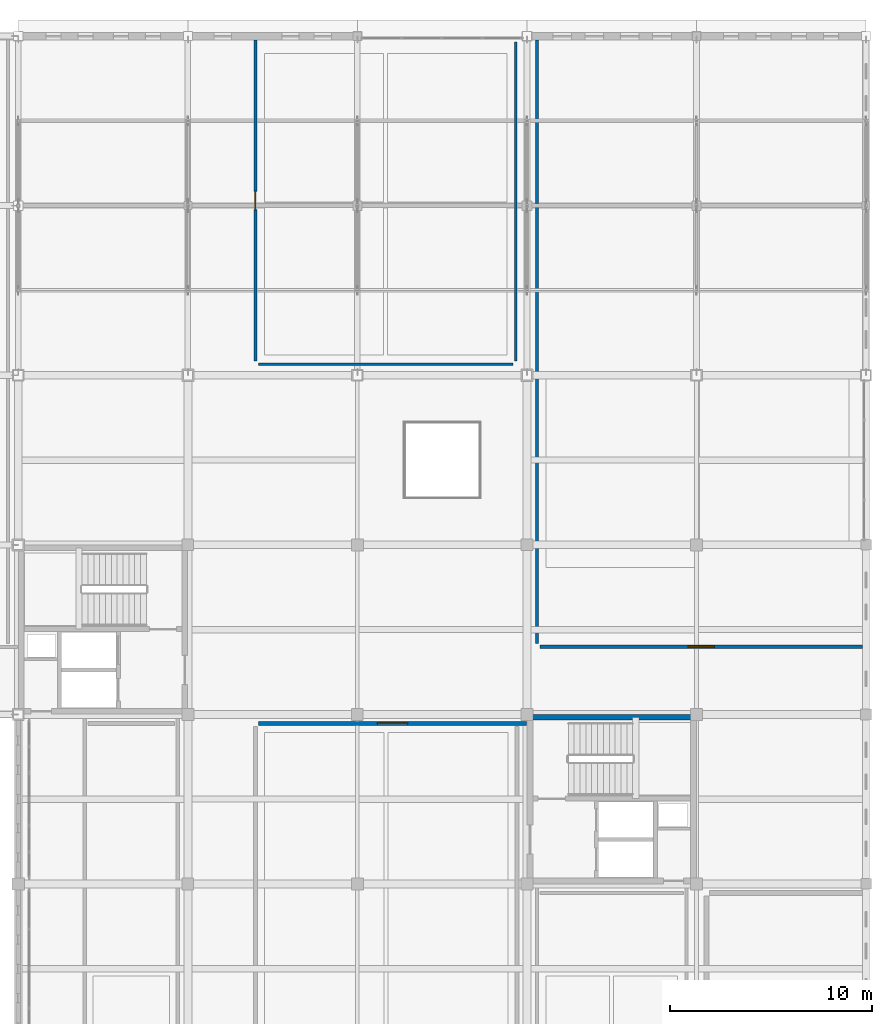
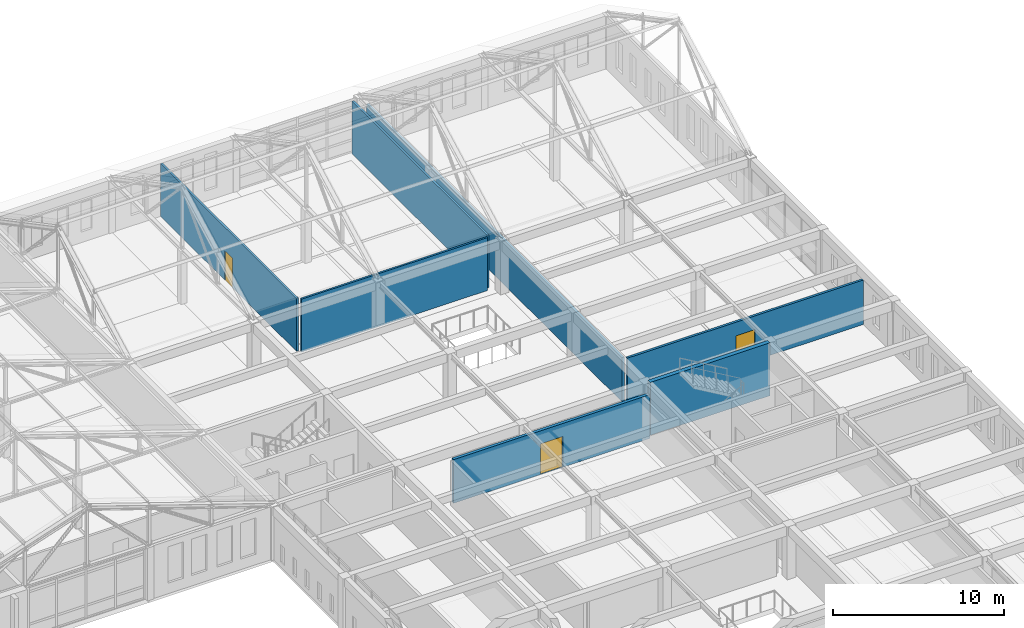
# One storey, part 48 of 56: 7 walls, 3 doors, 3 openings.
"""IFC4 building model written with IfcOpenShell, lengths in metres."""

from ifc_helpers import new_model, si_unit, direction, frame, frame_2d, origin, place, context, subcontext, project, spatial, rectangle, extrude, material, layer, layer_set, type_object, element, fill, save


model = new_model("IFC4")

# Units and contexts
model_context = context("Model", 3, precision=1e-05, world=origin(), true_north=direction((0.0, 1.0)))
body_context = subcontext(model_context, "Body", "Model", "MODEL_VIEW")
ifc_project = project(units=[si_unit("LENGTHUNIT", "METRE"), si_unit("AREAUNIT", "SQUARE_METRE"), si_unit("VOLUMEUNIT", "CUBIC_METRE"), si_unit("PLANEANGLEUNIT", "RADIAN"), si_unit("MASSUNIT", "GRAM", prefix="KILO")], contexts=[model_context])

# Site, building, storey
site_placement = place(None, origin())
site = spatial("IfcSite", under=ifc_project, at=site_placement, CompositionType="ELEMENT")
building_placement = place(site_placement, origin())
building = spatial("IfcBuilding", under=site, at=building_placement, Name="Kveldsbrygga Polytechnic", CompositionType="ELEMENT")
storey_placement = place(building_placement, frame((0.0, 0.0, 18.02001953125)))
storey = spatial("IfcBuildingStorey", under=building, at=storey_placement, Name="L04", CompositionType="ELEMENT", Elevation=18.02001953125)

# Wall, opening, door
ifc_material_1 = material(Name="Fired clay brick masonry M10", Category="masonry")
ifc_layer_1 = layer(ifc_material_1, 0.199951171875)
ifc_layer_set_1 = layer_set([ifc_layer_1], Name="Fired clay brick masonry M10")
wall_type_1 = type_object("IfcWallType", Name="IW-LAB-200", PredefinedType="PARTITIONING", material=ifc_layer_set_1)
wall_1_placement = place(storey_placement, frame((137.89990234375, 83.550048828125, 0.0), z_axis=(0.0, 0.0, 1.0), x_axis=(1.0, 0.0, 0.0)))
wall_1 = element("IfcWall", 1, at=wall_1_placement, inside=storey, type_object=wall_type_1, Name="Partition Wall IW-SP-L04-LAB41-N1", PredefinedType="PARTITIONING", context=body_context, shape_type="SweptSolid", body=[
    extrude(rectangle(XDim=13.27001953125, YDim=0.199951171875, at=frame_2d((6.635009765625, 0.0))), origin(), (0.0, 0.0, 1.0), 3.1298828125),
])
opening_1_placement = place(wall_1_placement, frame((5.885009765625, 0.0, 0.0)))
opening_1 = element("IfcOpeningElement", 2, at=opening_1_placement, cuts=wall_1, Name="Opening ID-L04-090", PredefinedType="OPENING", context=body_context, shape_type="SweptSolid", body=[
    extrude(rectangle(XDim=1.5, YDim=2.199951171875, at=frame_2d((0.75, 1.10009765625))), frame((0.0, 0.10986328125, 0.0), z_axis=(0.0, -1.0, 0.0), x_axis=(1.0, 0.0, 0.0)), (0.0, 0.0, 1.0), 0.219970703125),
])
ifc_material_2 = material(Name="Acoustic oak timber", Category="wood")
door_type_1 = type_object("IfcDoorType", Name="ID-LAB-150x220", OperationType="DOUBLE_DOOR_SINGLE_SWING", PredefinedType="DOOR", material=ifc_material_2)
door_1_placement = place(opening_1_placement, origin())
door_1 = element("IfcDoor", 3, at=door_1_placement, inside=storey, type_object=door_type_1, Name="Interior Door ID-L04-090", OperationType="DOUBLE_DOOR_SINGLE_SWING", OverallHeight=2.199951171875, OverallWidth=1.5, PredefinedType="DOOR", context=body_context, shape_type="SweptSolid", body=[
    extrude(rectangle(XDim=1.5, YDim=2.199951171875, at=frame_2d((0.75, 1.10009765625))), frame((0.0, 0.02490234375, 0.0), z_axis=(0.0, -1.0, 0.0), x_axis=(1.0, 0.0, 0.0)), (0.0, 0.0, 1.0), 0.050048828125),
])
fill(opening_1, door_1)

ifc_material_3 = material(Name="Moisture-resistant masonry M10", Category="masonry")
ifc_layer_2 = layer(ifc_material_3, 0.1298828125)
ifc_layer_set_2 = layer_set([ifc_layer_2], Name="Moisture-resistant masonry M10")
wall_type_2 = type_object("IfcWallType", Name="IW-SAN-130", PredefinedType="PARTITIONING", material=ifc_layer_set_2)
wall_2_placement = place(storey_placement, frame((137.75, 101.5, 0.0), z_axis=(0.0, 0.0, 1.0), x_axis=(0.0, 1.0, 0.0)))
wall_2 = element("IfcWall", 4, at=wall_2_placement, inside=storey, type_object=wall_type_2, Name="Partition Wall IW-SP-L04-WC1-W1", PredefinedType="PARTITIONING", context=body_context, shape_type="SweptSolid", body=[
    extrude(rectangle(XDim=15.919921875, YDim=0.1298828125, at=frame_2d((7.9599609375, 0.0))), origin(), (0.0, 0.0, 1.0), 3.780029296875),
])
opening_2_placement = place(wall_2_placement, frame((7.510009765625, 0.0, 0.0)))
opening_2 = element("IfcOpeningElement", 5, at=opening_2_placement, cuts=wall_2, Name="Opening ID-L04-089", PredefinedType="OPENING", context=body_context, shape_type="SweptSolid", body=[
    extrude(rectangle(XDim=0.89990234375, YDim=2.10009765625, at=frame_2d((0.449951171875, 1.050048828125))), frame((0.0, 0.074951171875, 0.0), z_axis=(0.0, -1.0, 0.0), x_axis=(1.0, 0.0, 0.0)), (0.0, 0.0, 1.0), 0.14990234375),
])
door_type_2 = type_object("IfcDoorType", Name="ID-SAN-090x210", OperationType="NOTDEFINED", PredefinedType="DOOR", material=ifc_material_2)
door_2_placement = place(opening_2_placement, origin())
door_2 = element("IfcDoor", 6, at=door_2_placement, inside=storey, type_object=door_type_2, Name="Interior Door ID-L04-089", OperationType="SINGLE_SWING_RIGHT", OverallHeight=2.10009765625, OverallWidth=0.89990234375, PredefinedType="DOOR", context=body_context, shape_type="SweptSolid", body=[
    extrude(rectangle(XDim=0.89990234375, YDim=2.10009765625, at=frame_2d((0.449951171875, 1.050048828125))), frame((0.0, 0.02490234375, 0.0), z_axis=(0.0, -1.0, 0.0), x_axis=(1.0, 0.0, 0.0)), (0.0, 0.0, 1.0), 0.050048828125),
])
fill(opening_2, door_2)

# Walls
wall_3_placement = place(storey_placement, frame((137.89990234375, 101.35009765625, 0.0), z_axis=(0.0, 0.0, 1.0), x_axis=(1.0, 0.0, 0.0)))
element("IfcWall", 7, at=wall_3_placement, inside=storey, type_object=wall_type_2, Name="Partition Wall IW-SP-L04-WC1-S1", PredefinedType="PARTITIONING", context=body_context, shape_type="SweptSolid", body=[
    extrude(rectangle(XDim=12.60009765625, YDim=0.1298828125, at=frame_2d((6.300048828125, 0.0))), origin(), (0.0, 0.0, 1.0), 3.780029296875),
])
wall_4_placement = place(storey_placement, frame((150.64990234375, 101.5, 0.0), z_axis=(0.0, 0.0, 1.0), x_axis=(0.0, 1.0, 0.0)))
element("IfcWall", 8, at=wall_4_placement, inside=storey, type_object=wall_type_2, Name="Partition Wall IW-SP-L04-WC1-E1", PredefinedType="PARTITIONING", context=body_context, shape_type="SweptSolid", body=[
    extrude(rectangle(XDim=15.820068359375, YDim=0.1298828125, at=frame_2d((7.91015625, 0.0))), origin(), (0.0, 0.0, 1.0), 3.780029296875),
])

# Wall, opening, door
ifc_material_4 = material(Name="Gypsum acoustic stud partition")
ifc_layer_3 = layer(ifc_material_4, 0.159912109375)
ifc_layer_set_3 = layer_set([ifc_layer_3], Name="Gypsum acoustic stud partition")
wall_type_3 = type_object("IfcWallType", Name="IW-STD-160", PredefinedType="PARTITIONING", material=ifc_layer_set_3)
wall_5_placement = place(storey_placement, frame((151.85009765625, 87.35009765625, 0.0), z_axis=(0.0, 0.0, 1.0), x_axis=(1.0, 0.0, 0.0)))
wall_5 = element("IfcWall", 9, at=wall_5_placement, inside=storey, type_object=wall_type_3, Name="Partition Wall IW-SP-L04-STD42-S1", PredefinedType="PARTITIONING", context=body_context, shape_type="SweptSolid", body=[
    extrude(rectangle(XDim=15.969970703125, YDim=0.159912109375, at=frame_2d((7.98486328125, 0.0))), origin(), (0.0, 0.0, 1.0), 3.179931640625),
])
opening_3_placement = place(wall_5_placement, frame((7.3349609375, 0.0, 0.0)))
opening_3 = element("IfcOpeningElement", 10, at=opening_3_placement, cuts=wall_5, Name="Opening ID-L04-086", PredefinedType="OPENING", context=body_context, shape_type="SweptSolid", body=[
    extrude(rectangle(XDim=1.300048828125, YDim=2.199951171875, at=frame_2d((0.64990234375, 1.10009765625))), frame((0.0, 0.08984375, 0.0), z_axis=(0.0, -1.0, 0.0), x_axis=(1.0, 0.0, 0.0)), (0.0, 0.0, 1.0), 0.179931640625),
])
door_type_3 = type_object("IfcDoorType", Name="ID-STD-130x220", OperationType="NOTDEFINED", PredefinedType="DOOR", material=ifc_material_2)
door_3_placement = place(opening_3_placement, origin())
door_3 = element("IfcDoor", 11, at=door_3_placement, inside=storey, type_object=door_type_3, Name="Interior Door ID-L04-086", OperationType="SINGLE_SWING_LEFT", OverallHeight=2.199951171875, OverallWidth=1.300048828125, PredefinedType="DOOR", context=body_context, shape_type="SweptSolid", body=[
    extrude(rectangle(XDim=1.300048828125, YDim=2.199951171875, at=frame_2d((0.64990234375, 1.10009765625))), frame((0.0, 0.02490234375, 0.0), z_axis=(0.0, -1.0, 0.0), x_axis=(1.0, 0.0, 0.0)), (0.0, 0.0, 1.0), 0.050048828125),
])
fill(opening_3, door_3)

# Walls
wall_6_placement = place(storey_placement, frame((151.699951171875, 87.5, 0.0), z_axis=(0.0, 0.0, 1.0), x_axis=(0.0, 1.0, 0.0)))
element("IfcWall", 12, at=wall_6_placement, inside=storey, type_object=wall_type_3, Name="Partition Wall IW-SP-L04-STD42-W1", PredefinedType="PARTITIONING", context=body_context, shape_type="SweptSolid", body=[
    extrude(rectangle(XDim=29.919921875, YDim=0.159912109375, at=frame_2d((14.9599609375, 0.0))), origin(), (0.0, 0.0, 1.0), 3.159912109375),
])
ifc_material_5 = material(Name="Concrete C45/55", Category="concrete")
ifc_layer_4 = layer(ifc_material_5, 0.280029296875)
ifc_layer_set_4 = layer_set([ifc_layer_4], Name="Concrete C45/55")
wall_type_4 = type_object("IfcWallType", Name="WL-CORE-280", PredefinedType="SHEAR", material=ifc_layer_set_4)
wall_7_placement = place(storey_placement, frame((151.35009765625, 83.85009765625, 0.0), z_axis=(0.0, 0.0, 1.0), x_axis=(1.0, 0.0, 0.0)))
element("IfcWall", 13, at=wall_7_placement, inside=storey, type_object=wall_type_4, Name="Core C4 Shear Wall C4-L04-SW-N", PredefinedType="SHEAR", context=body_context, shape_type="SweptSolid", body=[
    extrude(rectangle(XDim=8.099853515625, YDim=0.280029296875, at=frame_2d((4.0498046875, 0.0))), origin(), (0.0, 0.0, 1.0), 3.780029296875),
])

save(model, "model.ifc")
